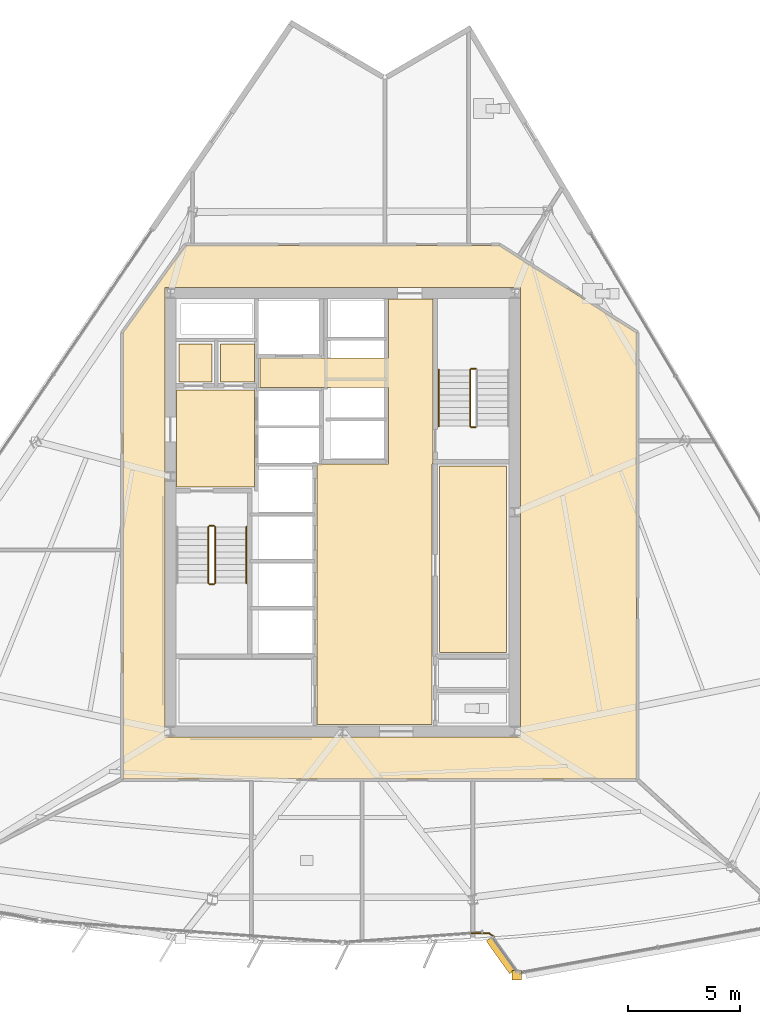
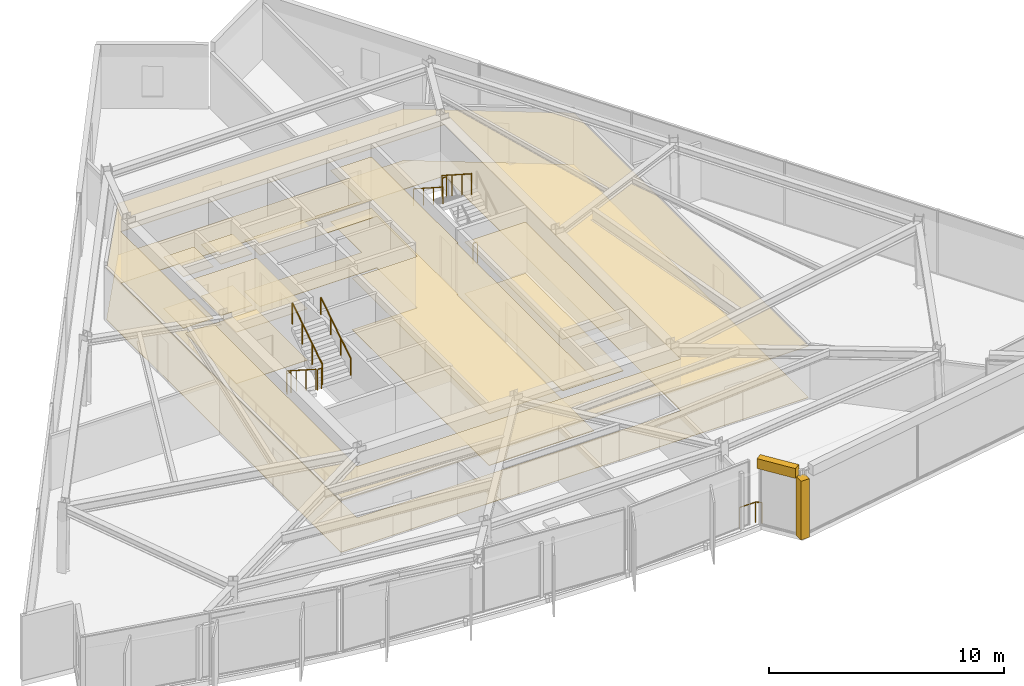
# One storey, part 11 of 13: 14 coverings, 10 railings.
"""IFC4 building model written with IfcOpenShell, lengths in metres."""

from ifc_helpers import new_model, si_unit, direction, frame, origin, origin_2d, place, context, subcontext, project, spatial, polyline, circle, outline, extrude, material, layer, layer_set, type_object, element, save


model = new_model("IFC4")

# Units and contexts
model_context = context("Model", 3, precision=1e-05, world=origin(), true_north=direction((0.0, 1.0)))
body_context = subcontext(model_context, "Body", "Model", "MODEL_VIEW")
ifc_project = project(units=[si_unit("LENGTHUNIT", "METRE"), si_unit("AREAUNIT", "SQUARE_METRE"), si_unit("VOLUMEUNIT", "CUBIC_METRE"), si_unit("PLANEANGLEUNIT", "RADIAN"), si_unit("MASSUNIT", "GRAM", prefix="KILO")], contexts=[model_context])

# Site, building, storey
site_placement = place(None, origin())
site = spatial("IfcSite", under=ifc_project, at=site_placement, CompositionType="ELEMENT")
building_placement = place(site_placement, origin())
building = spatial("IfcBuilding", under=site, at=building_placement, Name="Savorim Split Tower", CompositionType="ELEMENT")
storey_placement = place(building_placement, frame((0.0, 0.0, 174.60009765625)))
storey = spatial("IfcBuildingStorey", under=building, at=storey_placement, Name="L46", CompositionType="ELEMENT", Elevation=174.60009765625)

# Coverings
ifc_material_1 = material(Name="Mineral Fibre Acoustic Ceiling")
ifc_layer_1 = layer(ifc_material_1, 0.02490234375)
ifc_layer_set_1 = layer_set([ifc_layer_1], Name="COV-CEIL-25")
covering_type_1 = type_object("IfcCoveringType", Name="COV-CEIL-25", PredefinedType="CEILING", material=ifc_layer_set_1)
covering_1_placement = place(storey_placement, frame((0.0, 0.0, 2.669921875)))
element("IfcCovering", 1, at=covering_1_placement, inside=storey, type_object=covering_type_1, Name="L46 Firefighting Lift Lobby Acoustic Ceiling", PredefinedType="CEILING", context=body_context, shape_type="SweptSolid", body=[
    extrude(outline(polyline([(-7.429931640625, 5.8701171875), (-7.429931640625, 1.530029296875), (-3.929931640625, 1.530029296875), (-3.929931640625, 5.8701171875), (-7.429931640625, 5.8701171875)])), origin(), (0.0, 0.0, 1.0), 0.02490234375),
])
covering_2_placement = place(storey_placement, frame((0.0, 0.0, 2.669921875)))
element("IfcCovering", 2, at=covering_2_placement, inside=storey, type_object=covering_type_1, Name="L46 Electrical Riser Acoustic Ceiling", PredefinedType="CEILING", context=body_context, shape_type="SweptSolid", body=[
    extrude(outline(polyline([(-7.320068359375, 7.919921875), (-7.320068359375, 6.22998046875), (-5.830078125, 6.22998046875), (-5.830078125, 7.919921875), (-7.320068359375, 7.919921875)])), origin(), (0.0, 0.0, 1.0), 0.02490234375),
])
covering_3_placement = place(storey_placement, frame((0.0, 0.0, 2.669921875)))
element("IfcCovering", 3, at=covering_3_placement, inside=storey, type_object=covering_type_1, Name="L46 Telecom Riser Acoustic Ceiling", PredefinedType="CEILING", context=body_context, shape_type="SweptSolid", body=[
    extrude(outline(polyline([(-5.469970703125, 7.919921875), (-5.469970703125, 6.22998046875), (-3.929931640625, 6.22998046875), (-3.929931640625, 7.919921875), (-5.469970703125, 7.919921875)])), origin(), (0.0, 0.0, 1.0), 0.02490234375),
])
covering_4_placement = place(storey_placement, frame((0.0, 0.0, 2.669921875)))
element("IfcCovering", 4, at=covering_4_placement, inside=storey, type_object=covering_type_1, Name="L46 Lift Lobby Acoustic Ceiling", PredefinedType="CEILING", context=body_context, shape_type="SweptSolid", body=[
    extrude(outline(polyline([(2.050048828125, 2.550048828125), (-1.14990234375, 2.550048828125), (-1.14990234375, -9.10009765625), (4.0, -9.10009765625), (4.0, 2.550048828125), (4.050048828125, 2.550048828125), (4.050048828125, 5.97998046875), (4.050048828125, 7.300048828125), (4.050048828125, 9.929931640625), (2.050048828125, 9.929931640625), (2.050048828125, 7.300048828125), (-3.699951171875, 7.300048828125), (-3.699951171875, 5.97998046875), (2.050048828125, 5.97998046875), (2.050048828125, 2.550048828125)])), origin(), (0.0, 0.0, 1.0), 0.02490234375),
])
covering_5_placement = place(storey_placement, frame((0.0, 0.0, 2.669921875)))
element("IfcCovering", 5, at=covering_5_placement, inside=storey, type_object=covering_type_1, Name="L46 Shared Pantry and Linen Room Acoustic Ceiling", PredefinedType="CEILING", context=body_context, shape_type="SweptSolid", body=[
    extrude(outline(polyline([(4.330078125, 2.469970703125), (4.330078125, -5.8701171875), (7.320068359375, -5.8701171875), (7.320068359375, 2.469970703125), (4.330078125, 2.469970703125)])), origin(), (0.0, 0.0, 1.0), 0.02490234375),
])
covering_6_placement = place(storey_placement, frame((0.0, 0.0, 2.669921875)))
element("IfcCovering", 6, at=covering_6_placement, inside=storey, type_object=covering_type_1, Name="L46 Corridor Acoustic Ceiling", PredefinedType="CEILING", context=body_context, shape_type="SweptSolid", body=[
    extrude(outline(polyline([(7.009521484375, 12.3291015625), (7.004638671875, 12.329833984375), (7.0, 12.330078125), (-7.0, 12.330078125), (-7.004638671875, 12.329833984375), (-7.009521484375, 12.3291015625), (-7.013916015625, 12.327880859375), (-7.0185546875, 12.326416015625), (-7.022705078125, 12.324462890625), (-7.027099609375, 12.322021484375), (-7.03076171875, 12.3193359375), (-7.034423828125, 12.31640625), (-7.03759765625, 12.312744140625), (-7.04052734375, 12.30908203125), (-9.820556640625, 8.42919921875), (-9.823486328125, 8.4248046875), (-9.82568359375, 8.420166015625), (-9.82763671875, 8.415283203125), (-9.828857421875, 8.410400390625), (-9.82958984375, 8.4052734375), (-9.830078125, 8.39990234375), (-9.830078125, -11.47998046875), (-9.829833984375, -11.48486328125), (-9.8291015625, -11.48974609375), (-9.827880859375, -11.494384765625), (-9.826171875, -11.4990234375), (-9.82421875, -11.503662109375), (-9.821533203125, -11.5078125), (-9.818603515625, -11.51171875), (-9.8154296875, -11.515380859375), (-9.811767578125, -11.518798828125), (-9.807861328125, -11.521484375), (-9.8037109375, -11.524169921875), (-9.799072265625, -11.526123046875), (-9.79443359375, -11.52783203125), (-9.789794921875, -11.529052734375), (-9.784912109375, -11.52978515625), (-9.780029296875, -11.530029296875), (13.10009765625, -11.530029296875), (13.10498046875, -11.52978515625), (13.10986328125, -11.529052734375), (13.114501953125, -11.52783203125), (13.119140625, -11.526123046875), (13.12353515625, -11.524169921875), (13.127685546875, -11.521484375), (13.131591796875, -11.518798828125), (13.135498046875, -11.515380859375), (13.138671875, -11.51171875), (13.1416015625, -11.5078125), (13.14404296875, -11.503662109375), (13.146240234375, -11.4990234375), (13.147705078125, -11.494384765625), (13.14892578125, -11.48974609375), (13.14990234375, -11.48486328125), (13.14990234375, -11.47998046875), (13.14990234375, 8.39990234375), (13.149658203125, 8.405029296875), (13.14892578125, 8.409912109375), (13.147705078125, 8.414794921875), (13.14599609375, 8.41943359375), (13.143798828125, 8.424072265625), (13.14111328125, 8.42822265625), (13.13818359375, 8.432373046875), (13.134765625, 8.43603515625), (13.130859375, 8.439208984375), (13.126708984375, 8.442138671875), (7.02685546875, 12.322265625), (7.022705078125, 12.324462890625), (7.018310546875, 12.326416015625), (7.013916015625, 12.327880859375), (7.009521484375, 12.3291015625)]), holes=[polyline([(-7.949951171875, 10.449951171875), (-7.949951171875, -9.64990234375), (7.949951171875, -9.64990234375), (7.949951171875, 10.449951171875), (-7.949951171875, 10.449951171875)])]), origin(), (0.0, 0.0, 1.0), 0.02490234375),
])
ifc_material_2 = material(Name="Porcelain Stoneware Flooring", Category="masonry")
ifc_layer_2 = layer(ifc_material_2, 0.02001953125)
ifc_layer_set_2 = layer_set([ifc_layer_2], Name="COV-FLOR-20")
covering_type_2 = type_object("IfcCoveringType", Name="COV-FLOR-20", PredefinedType="FLOORING", material=ifc_layer_set_2)
covering_7_placement = place(storey_placement, origin())
element("IfcCovering", 7, at=covering_7_placement, inside=storey, type_object=covering_type_2, Name="L46 Firefighting Lift Lobby Porcelain Flooring", PredefinedType="FLOORING", context=body_context, shape_type="SweptSolid", body=[
    extrude(outline(polyline([(-7.429931640625, 5.8701171875), (-7.429931640625, 1.530029296875), (-3.929931640625, 1.530029296875), (-3.929931640625, 5.8701171875), (-7.429931640625, 5.8701171875)])), origin(), (0.0, 0.0, 1.0), 0.02001953125),
])
covering_8_placement = place(storey_placement, origin())
element("IfcCovering", 8, at=covering_8_placement, inside=storey, type_object=covering_type_2, Name="L46 Electrical Riser Porcelain Flooring", PredefinedType="FLOORING", context=body_context, shape_type="SweptSolid", body=[
    extrude(outline(polyline([(-7.320068359375, 7.919921875), (-7.320068359375, 6.22998046875), (-5.830078125, 6.22998046875), (-5.830078125, 7.919921875), (-7.320068359375, 7.919921875)])), origin(), (0.0, 0.0, 1.0), 0.02001953125),
])
covering_9_placement = place(storey_placement, origin())
element("IfcCovering", 9, at=covering_9_placement, inside=storey, type_object=covering_type_2, Name="L46 Telecom Riser Porcelain Flooring", PredefinedType="FLOORING", context=body_context, shape_type="SweptSolid", body=[
    extrude(outline(polyline([(-5.469970703125, 7.919921875), (-5.469970703125, 6.22998046875), (-3.929931640625, 6.22998046875), (-3.929931640625, 7.919921875), (-5.469970703125, 7.919921875)])), origin(), (0.0, 0.0, 1.0), 0.02001953125),
])
covering_10_placement = place(storey_placement, origin())
element("IfcCovering", 10, at=covering_10_placement, inside=storey, type_object=covering_type_2, Name="L46 Lift Lobby Porcelain Flooring", PredefinedType="FLOORING", context=body_context, shape_type="SweptSolid", body=[
    extrude(outline(polyline([(2.050048828125, 2.550048828125), (-1.14990234375, 2.550048828125), (-1.14990234375, -9.10009765625), (4.0, -9.10009765625), (4.0, 2.550048828125), (4.050048828125, 2.550048828125), (4.050048828125, 5.97998046875), (4.050048828125, 7.300048828125), (4.050048828125, 9.929931640625), (2.050048828125, 9.929931640625), (2.050048828125, 7.300048828125), (-3.699951171875, 7.300048828125), (-3.699951171875, 5.97998046875), (2.050048828125, 5.97998046875), (2.050048828125, 2.550048828125)])), origin(), (0.0, 0.0, 1.0), 0.02001953125),
])
covering_11_placement = place(storey_placement, origin())
element("IfcCovering", 11, at=covering_11_placement, inside=storey, type_object=covering_type_2, Name="L46 Shared Pantry and Linen Room Porcelain Flooring", PredefinedType="FLOORING", context=body_context, shape_type="SweptSolid", body=[
    extrude(outline(polyline([(4.330078125, 2.469970703125), (4.330078125, -5.8701171875), (7.320068359375, -5.8701171875), (7.320068359375, 2.469970703125), (4.330078125, 2.469970703125)])), origin(), (0.0, 0.0, 1.0), 0.02001953125),
])
covering_12_placement = place(storey_placement, origin())
element("IfcCovering", 12, at=covering_12_placement, inside=storey, type_object=covering_type_2, Name="L46 Corridor Porcelain Flooring", PredefinedType="FLOORING", context=body_context, shape_type="SweptSolid", body=[
    extrude(outline(polyline([(7.009521484375, 12.3291015625), (7.004638671875, 12.329833984375), (7.0, 12.330078125), (-7.0, 12.330078125), (-7.004638671875, 12.329833984375), (-7.009521484375, 12.3291015625), (-7.013916015625, 12.327880859375), (-7.0185546875, 12.326416015625), (-7.022705078125, 12.324462890625), (-7.027099609375, 12.322021484375), (-7.03076171875, 12.3193359375), (-7.034423828125, 12.31640625), (-7.03759765625, 12.312744140625), (-7.04052734375, 12.30908203125), (-9.820556640625, 8.42919921875), (-9.823486328125, 8.4248046875), (-9.82568359375, 8.420166015625), (-9.82763671875, 8.415283203125), (-9.828857421875, 8.410400390625), (-9.82958984375, 8.4052734375), (-9.830078125, 8.39990234375), (-9.830078125, -11.47998046875), (-9.829833984375, -11.48486328125), (-9.8291015625, -11.48974609375), (-9.827880859375, -11.494384765625), (-9.826171875, -11.4990234375), (-9.82421875, -11.503662109375), (-9.821533203125, -11.5078125), (-9.818603515625, -11.51171875), (-9.8154296875, -11.515380859375), (-9.811767578125, -11.518798828125), (-9.807861328125, -11.521484375), (-9.8037109375, -11.524169921875), (-9.799072265625, -11.526123046875), (-9.79443359375, -11.52783203125), (-9.789794921875, -11.529052734375), (-9.784912109375, -11.52978515625), (-9.780029296875, -11.530029296875), (13.10009765625, -11.530029296875), (13.10498046875, -11.52978515625), (13.10986328125, -11.529052734375), (13.114501953125, -11.52783203125), (13.119140625, -11.526123046875), (13.12353515625, -11.524169921875), (13.127685546875, -11.521484375), (13.131591796875, -11.518798828125), (13.135498046875, -11.515380859375), (13.138671875, -11.51171875), (13.1416015625, -11.5078125), (13.14404296875, -11.503662109375), (13.146240234375, -11.4990234375), (13.147705078125, -11.494384765625), (13.14892578125, -11.48974609375), (13.14990234375, -11.48486328125), (13.14990234375, -11.47998046875), (13.14990234375, 8.39990234375), (13.149658203125, 8.405029296875), (13.14892578125, 8.409912109375), (13.147705078125, 8.414794921875), (13.14599609375, 8.41943359375), (13.143798828125, 8.424072265625), (13.14111328125, 8.42822265625), (13.13818359375, 8.432373046875), (13.134765625, 8.43603515625), (13.130859375, 8.439208984375), (13.126708984375, 8.442138671875), (7.02685546875, 12.322265625), (7.022705078125, 12.324462890625), (7.018310546875, 12.326416015625), (7.013916015625, 12.327880859375), (7.009521484375, 12.3291015625)]), holes=[polyline([(-7.949951171875, 10.449951171875), (-7.949951171875, -9.64990234375), (7.949951171875, -9.64990234375), (7.949951171875, 10.449951171875), (-7.949951171875, 10.449951171875)])]), origin(), (0.0, 0.0, 1.0), 0.02001953125),
])
ifc_material_3 = material(Name="White Porcelain Architectural Cladding")
ifc_layer_3 = layer(ifc_material_3, 0.139892578125)
ifc_layer_set_3 = layer_set([ifc_layer_3], Name="COV-FRM-WHITE")
covering_type_3 = type_object("IfcCoveringType", Name="COV-FRM-WHITE", PredefinedType="CLADDING", material=ifc_layer_set_3)
covering_13_placement = place(storey_placement, frame((0.0, 0.0, 3.079833984375)))
element("IfcCovering", 13, at=covering_13_placement, inside=storey, type_object=covering_type_3, Name="L46 Cantilevered Lounge White Upper Cornice Band W", PredefinedType="CLADDING", context=body_context, shape_type="SweptSolid", body=[
    extrude(outline(polyline([(6.42431640625, -18.7763671875), (7.47021484375, -20.2412109375), (7.746826171875, -20.043701171875), (6.700927734375, -18.578857421875), (6.42431640625, -18.7763671875)])), origin(), (0.0, 0.0, 1.0), 0.510009765625),
])
covering_14_placement = place(storey_placement, frame((0.0, 0.0, 0.010009765625)))
element("IfcCovering", 14, at=covering_14_placement, inside=storey, type_object=covering_type_3, Name="L46 Cantilevered Lounge White Frame Corner Post 1", PredefinedType="CLADDING", context=body_context, shape_type="SweptSolid", body=[
    extrude(outline(polyline([(7.57861328125, -20.518798828125), (7.99853515625, -20.518798828125), (7.99853515625, -20.0986328125), (7.57861328125, -20.0986328125), (7.57861328125, -20.518798828125)])), origin(), (0.0, 0.0, 1.0), 3.0498046875),
])

# Railings
ifc_material_4 = material(Name="Galvanised Painted Steel Balustrade", Category="steel")
railing_type_1 = type_object("IfcRailingType", Name="RLG-BAL-1100", PredefinedType="BALUSTRADE", material=ifc_material_4)
railing_1_placement = place(storey_placement, frame((5.776611328125, -18.433349609375, 0.0)))
element("IfcRailing", 15, at=railing_1_placement, inside=storey, type_object=railing_type_1, Name="L46 Cantilevered Lounge West Edge Closure Guard", PredefinedType="BALUSTRADE", context=body_context, shape_type="SweptSolid", body=[
    extrude(circle(Radius=0.02392578125, at=origin_2d()), frame((0.0, 0.0, 1.076171875), z_axis=(1.0, 0.0, 0.0), x_axis=(0.0, 1.0, 0.0)), (0.0, 0.0, 1.0), 0.780029296875),
    extrude(circle(Radius=0.02392578125, at=origin_2d()), frame((0.780029296875, 0.0, 1.076171875), z_axis=(0.823681517704, -0.567052693665, 0.0), x_axis=(0.567052693665, 0.823681517704, 0.0)), (0.0, 0.0, 1.0), 0.27685546875),
    extrude(circle(Radius=0.02099609375, at=origin_2d()), origin(), (0.0, 0.0, 1.0), 1.052001953125),
    extrude(circle(Radius=0.02099609375, at=origin_2d()), frame((0.780029296875, 0.0, 0.0)), (0.0, 0.0, 1.0), 1.052001953125),
    extrude(circle(Radius=0.02099609375, at=origin_2d()), frame((1.008056640625, -0.156982421875, 0.0)), (0.0, 0.0, 1.0), 1.052001953125),
])
railing_type_2 = type_object("IfcRailingType", Name="RLG-HR-900", PredefinedType="HANDRAIL", material=ifc_material_4)
railing_2_placement = place(storey_placement, frame((-4.300048828125, -2.77001953125, 1.97998046875)))
element("IfcRailing", 16, at=railing_2_placement, inside=storey, type_object=railing_type_2, Name="L46 ST-1 stair handrail 2", PredefinedType="HANDRAIL", context=body_context, shape_type="SweptSolid", body=[
    extrude(circle(Radius=0.02392578125, at=origin_2d()), frame((0.0, 0.0, 0.8759765625), z_axis=(0.0, 0.841199657755, 0.540724639528), x_axis=(-1.0, 0.0, 0.0)), (0.0, 0.0, 1.0), 2.995849609375),
    extrude(circle(Radius=0.02099609375, at=origin_2d()), origin(), (0.0, 0.0, 1.0), 0.851806640625),
    extrude(circle(Radius=0.02099609375, at=origin_2d()), frame((0.0, 0.840087890625, 0.5400390625)), (0.0, 0.0, 1.0), 0.851806640625),
    extrude(circle(Radius=0.02099609375, at=origin_2d()), frame((0.0, 1.679931640625, 1.079833984375)), (0.0, 0.0, 1.0), 0.851806640625),
    extrude(circle(Radius=0.02099609375, at=origin_2d()), frame((0.0, 2.52001953125, 1.619873046875)), (0.0, 0.0, 1.0), 0.851806640625),
])
railing_3_placement = place(storey_placement, frame((4.300048828125, 6.77001953125, 1.97998046875)))
element("IfcRailing", 17, at=railing_3_placement, inside=storey, type_object=railing_type_2, Name="L46 ST-2 stair handrail 2", PredefinedType="HANDRAIL", context=body_context, shape_type="SweptSolid", body=[
    extrude(circle(Radius=0.02392578125, at=origin_2d()), frame((0.0, 0.0, 0.8759765625), z_axis=(0.0, -0.841199657755, 0.540724639528), x_axis=(1.0, 0.0, 0.0)), (0.0, 0.0, 1.0), 2.995849609375),
    extrude(circle(Radius=0.02099609375, at=origin_2d()), origin(), (0.0, 0.0, 1.0), 0.851806640625),
    extrude(circle(Radius=0.02099609375, at=origin_2d()), frame((0.0, -0.840087890625, 0.5400390625)), (0.0, 0.0, 1.0), 0.851806640625),
    extrude(circle(Radius=0.02099609375, at=origin_2d()), frame((0.0, -1.679931640625, 1.079833984375)), (0.0, 0.0, 1.0), 0.851806640625),
    extrude(circle(Radius=0.02099609375, at=origin_2d()), frame((0.0, -2.52001953125, 1.619873046875)), (0.0, 0.0, 1.0), 0.851806640625),
])
railing_type_3 = type_object("IfcRailingType", Name="RLG-STG-1100", PredefinedType="BALUSTRADE", material=ifc_material_4)
railing_4_placement = place(storey_placement, frame((-6.0, -0.25, 0.179931640625)))
element("IfcRailing", 18, at=railing_4_placement, inside=storey, type_object=railing_type_3, Name="L46 ST-1 stair guard 1", PredefinedType="BALUSTRADE", context=body_context, shape_type="SweptSolid", body=[
    extrude(circle(Radius=0.02392578125, at=origin_2d()), frame((0.0, 0.0, 1.076171875), z_axis=(0.0, -0.841199657755, 0.540724639528), x_axis=(1.0, 0.0, 0.0)), (0.0, 0.0, 1.0), 2.995849609375),
    extrude(circle(Radius=0.02099609375, at=origin_2d()), origin(), (0.0, 0.0, 1.0), 1.052001953125),
    extrude(circle(Radius=0.02099609375, at=origin_2d()), frame((0.0, -0.840087890625, 0.5400390625)), (0.0, 0.0, 1.0), 1.052001953125),
    extrude(circle(Radius=0.02099609375, at=origin_2d()), frame((0.0, -1.679931640625, 1.079833984375)), (0.0, 0.0, 1.0), 1.052001953125),
    extrude(circle(Radius=0.02099609375, at=origin_2d()), frame((0.0, -2.52001953125, 1.619873046875)), (0.0, 0.0, 1.0), 1.052001953125),
])
railing_5_placement = place(storey_placement, frame((-5.949951171875, -2.820068359375, 1.7998046875)))
element("IfcRailing", 19, at=railing_5_placement, inside=storey, type_object=railing_type_3, Name="L46 ST-1 stair guard 2", PredefinedType="BALUSTRADE", context=body_context, shape_type="SweptSolid", body=[
    extrude(circle(Radius=0.02392578125, at=origin_2d()), frame((0.0, 0.0, 1.076171875), z_axis=(1.0, 0.0, 0.0), x_axis=(0.0, 1.0, 0.0)), (0.0, 0.0, 1.0), 0.199951171875),
    extrude(circle(Radius=0.02099609375, at=origin_2d()), origin(), (0.0, 0.0, 1.0), 1.052001953125),
    extrude(circle(Radius=0.02099609375, at=origin_2d()), frame((0.199951171875, 0.0, 0.0)), (0.0, 0.0, 1.0), 1.052001953125),
])
railing_6_placement = place(storey_placement, frame((-5.699951171875, -2.77001953125, 1.97998046875)))
element("IfcRailing", 20, at=railing_6_placement, inside=storey, type_object=railing_type_3, Name="L46 ST-1 stair guard 3", PredefinedType="BALUSTRADE", context=body_context, shape_type="SweptSolid", body=[
    extrude(circle(Radius=0.02392578125, at=origin_2d()), frame((0.0, 0.0, 1.076171875), z_axis=(0.0, 0.841199657755, 0.540724639528), x_axis=(-1.0, 0.0, 0.0)), (0.0, 0.0, 1.0), 2.995849609375),
    extrude(circle(Radius=0.02099609375, at=origin_2d()), origin(), (0.0, 0.0, 1.0), 1.052001953125),
    extrude(circle(Radius=0.02099609375, at=origin_2d()), frame((0.0, 0.840087890625, 0.5400390625)), (0.0, 0.0, 1.0), 1.052001953125),
    extrude(circle(Radius=0.02099609375, at=origin_2d()), frame((0.0, 1.679931640625, 1.079833984375)), (0.0, 0.0, 1.0), 1.052001953125),
    extrude(circle(Radius=0.02099609375, at=origin_2d()), frame((0.0, 2.52001953125, 1.619873046875)), (0.0, 0.0, 1.0), 1.052001953125),
])
railing_7_placement = place(storey_placement, frame((-5.949951171875, -0.199951171875, 0.0)))
element("IfcRailing", 21, at=railing_7_placement, inside=storey, type_object=railing_type_3, Name="L46 ST-1 stair guard 4", PredefinedType="BALUSTRADE", context=body_context, shape_type="SweptSolid", body=[
    extrude(circle(Radius=0.02392578125, at=origin_2d()), frame((0.0, 0.0, 1.076171875), z_axis=(1.0, 0.0, 0.0), x_axis=(0.0, 1.0, 0.0)), (0.0, 0.0, 1.0), 0.199951171875),
    extrude(circle(Radius=0.02099609375, at=origin_2d()), origin(), (0.0, 0.0, 1.0), 1.052001953125),
    extrude(circle(Radius=0.02099609375, at=origin_2d()), frame((0.199951171875, 0.0, 0.0)), (0.0, 0.0, 1.0), 1.052001953125),
])
railing_8_placement = place(storey_placement, frame((5.949951171875, 6.820068359375, 1.7998046875)))
element("IfcRailing", 22, at=railing_8_placement, inside=storey, type_object=railing_type_3, Name="L46 ST-2 stair guard 2", PredefinedType="BALUSTRADE", context=body_context, shape_type="SweptSolid", body=[
    extrude(circle(Radius=0.02392578125, at=origin_2d()), frame((0.0, 0.0, 1.076171875), z_axis=(-1.0, 0.0, 0.0), x_axis=(0.0, -1.0, 0.0)), (0.0, 0.0, 1.0), 0.199951171875),
    extrude(circle(Radius=0.02099609375, at=origin_2d()), origin(), (0.0, 0.0, 1.0), 1.052001953125),
    extrude(circle(Radius=0.02099609375, at=origin_2d()), frame((-0.199951171875, 0.0, 0.0)), (0.0, 0.0, 1.0), 1.052001953125),
])
railing_9_placement = place(storey_placement, frame((5.699951171875, 6.77001953125, 1.97998046875)))
element("IfcRailing", 23, at=railing_9_placement, inside=storey, type_object=railing_type_3, Name="L46 ST-2 stair guard 3", PredefinedType="BALUSTRADE", context=body_context, shape_type="SweptSolid", body=[
    extrude(circle(Radius=0.02392578125, at=origin_2d()), frame((0.0, 0.0, 1.076171875), z_axis=(0.0, -0.841199657755, 0.540724639528), x_axis=(1.0, 0.0, 0.0)), (0.0, 0.0, 1.0), 2.995849609375),
    extrude(circle(Radius=0.02099609375, at=origin_2d()), origin(), (0.0, 0.0, 1.0), 1.052001953125),
    extrude(circle(Radius=0.02099609375, at=origin_2d()), frame((0.0, -0.840087890625, 0.5400390625)), (0.0, 0.0, 1.0), 1.052001953125),
    extrude(circle(Radius=0.02099609375, at=origin_2d()), frame((0.0, -1.679931640625, 1.079833984375)), (0.0, 0.0, 1.0), 1.052001953125),
    extrude(circle(Radius=0.02099609375, at=origin_2d()), frame((0.0, -2.52001953125, 1.619873046875)), (0.0, 0.0, 1.0), 1.052001953125),
])
railing_10_placement = place(storey_placement, frame((5.949951171875, 4.199951171875, 0.0)))
element("IfcRailing", 24, at=railing_10_placement, inside=storey, type_object=railing_type_3, Name="L46 ST-2 stair guard 4", PredefinedType="BALUSTRADE", context=body_context, shape_type="SweptSolid", body=[
    extrude(circle(Radius=0.02392578125, at=origin_2d()), frame((0.0, 0.0, 1.076171875), z_axis=(-1.0, 0.0, 0.0), x_axis=(0.0, -1.0, 0.0)), (0.0, 0.0, 1.0), 0.199951171875),
    extrude(circle(Radius=0.02099609375, at=origin_2d()), origin(), (0.0, 0.0, 1.0), 1.052001953125),
    extrude(circle(Radius=0.02099609375, at=origin_2d()), frame((-0.199951171875, 0.0, 0.0)), (0.0, 0.0, 1.0), 1.052001953125),
])

save(model, "model.ifc")
